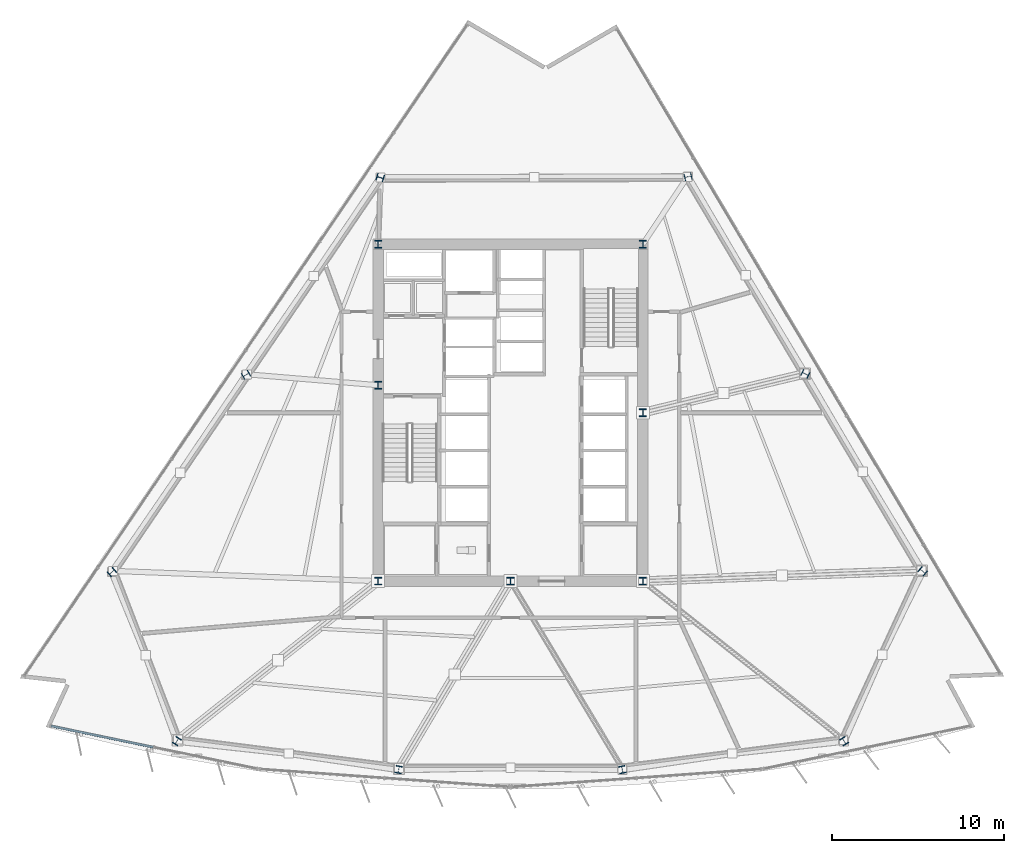
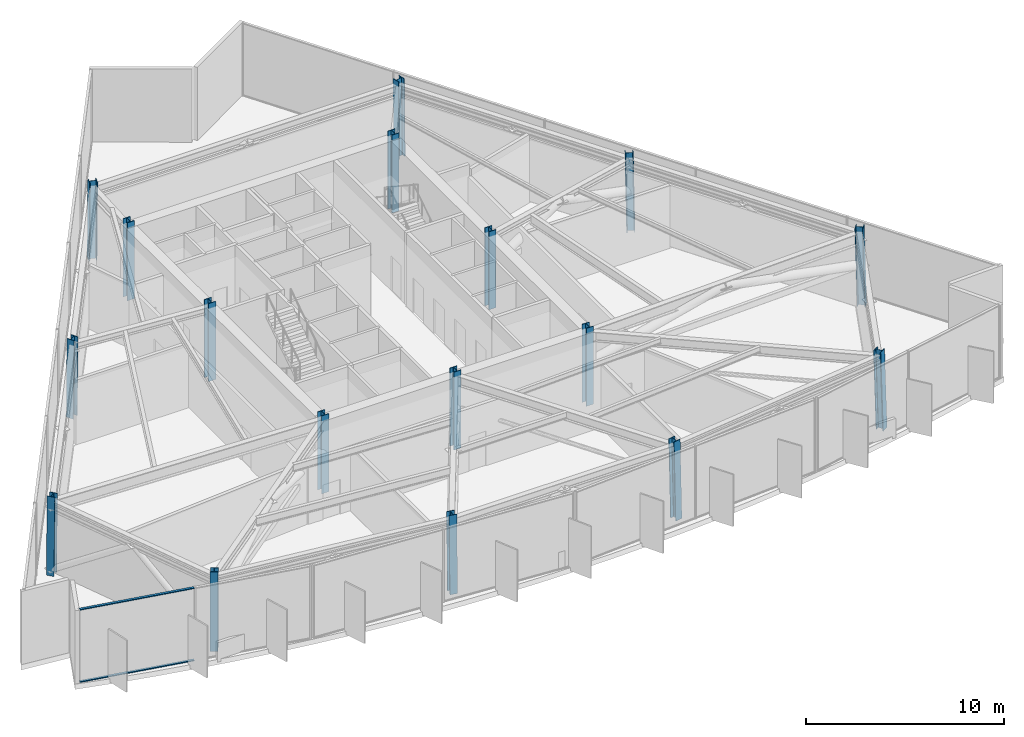
# One storey, part 1 of 16: 17 columns, 2 members, 1 element without a shape of its own.
"""IFC4 building model written with IfcOpenShell, lengths in metres."""

from ifc_helpers import new_model, si_unit, direction, frame, origin, origin_2d, place, context, subcontext, project, spatial, rectangle, i_section, extrude, material, material_profile, profile_set, type_object, element, aggregate, save


model = new_model("IFC4")

# Units and contexts
model_context = context("Model", 3, precision=1e-05, world=origin(), true_north=direction((0.0, 1.0)))
body_context = subcontext(model_context, "Body", "Model", "MODEL_VIEW")
ifc_project = project(units=[si_unit("LENGTHUNIT", "METRE"), si_unit("AREAUNIT", "SQUARE_METRE"), si_unit("VOLUMEUNIT", "CUBIC_METRE"), si_unit("PLANEANGLEUNIT", "RADIAN"), si_unit("MASSUNIT", "GRAM", prefix="KILO")], contexts=[model_context])

# Site, building, storey
site_placement = place(None, origin())
site = spatial("IfcSite", under=ifc_project, at=site_placement, CompositionType="ELEMENT")
building_placement = place(site_placement, origin())
building = spatial("IfcBuilding", under=site, at=building_placement, Name="Savorim Split Tower", CompositionType="ELEMENT")
storey_placement = place(building_placement, frame((0.0, 0.0, 73.199951171875)))
storey = spatial("IfcBuildingStorey", under=building, at=storey_placement, Name="L19", CompositionType="ELEMENT", Elevation=73.199951171875)

# Columns
ifc_material_1 = material(Name="Steel S460", Category="steel")
ifc_material_profile_1 = material_profile(ifc_material_1, i_section(OverallWidth=0.408935546875, OverallDepth=0.425048828125, WebThickness=0.020751953125, FlangeThickness=0.033935546875, FilletRadius=0.014892578125, at=origin_2d()), Name="HD 400x421")
ifc_profile_set_1 = profile_set([ifc_material_profile_1], Name="Steel S460")
column_type_1 = type_object("IfcColumnType", Name="COL-HD-421", PredefinedType="COLUMN", material=ifc_profile_set_1)
column_1_placement = place(storey_placement, frame((-19.419677734375, -18.72412109375, 0.005615234375), z_axis=(0.01589889458, 0.025784745697, 0.999541080717), x_axis=(-0.851195920716, 0.524848077596, 0.0)))
element("IfcColumn", 1, at=column_1_placement, inside=storey, type_object=column_type_1, Name="L19 Tapered Perimeter Column PC-S1", PredefinedType="COLUMN", context=body_context, shape_type="SweptSolid", body=[
    extrude(i_section(OverallWidth=0.408935546875, OverallDepth=0.425048828125, WebThickness=0.020751953125, FlangeThickness=0.033935546875, FilletRadius=0.014892578125, at=origin_2d()), origin(), (0.0, 0.0, 1.0), 4.791015625),
])
for number, where, z_axis, x_axis, name in (
    (2, (-6.508544921875, -20.3818359375, 0.005615234375), (0.005350994341, 0.027162666512, 0.999616704746), (-0.981142984211, 0.193283327096, 0.0), "L19 Tapered Perimeter Column PC-S2"),
    (3, (6.508544921875, -20.3818359375, 0.005615234375), (-0.005350994341, 0.027162666512, 0.999616704746), (-0.981142984211, -0.193283327096, 0.0), "L19 Tapered Perimeter Column PC-S3"),
):
    element("IfcColumn", number, at=place(storey_placement, frame(where, z_axis=z_axis, x_axis=x_axis)), inside=storey, type_object=column_type_1, Name=name, PredefinedType="COLUMN", context=body_context, shape_type="SweptSolid", body=[
        extrude(i_section(OverallWidth=0.408935546875, OverallDepth=0.425048828125, WebThickness=0.020751953125, FlangeThickness=0.033935546875, FilletRadius=0.014892578125, at=origin_2d()), origin(), (0.0, 0.0, 1.0), 4.790771484375),
    ])
column_2_placement = place(storey_placement, frame((19.419677734375, -18.72412109375, 0.005615234375), z_axis=(-0.01589889458, 0.025784745697, 0.999541080717), x_axis=(-0.851195920716, -0.524848077596, 0.0)))
element("IfcColumn", 4, at=column_2_placement, inside=storey, type_object=column_type_1, Name="L19 Tapered Perimeter Column PC-S4", PredefinedType="COLUMN", context=body_context, shape_type="SweptSolid", body=[
    extrude(i_section(OverallWidth=0.408935546875, OverallDepth=0.425048828125, WebThickness=0.020751953125, FlangeThickness=0.033935546875, FilletRadius=0.014892578125, at=origin_2d()), origin(), (0.0, 0.0, 1.0), 4.791015625),
])
column_3_placement = place(storey_placement, frame((23.99267578125, -8.83447265625, 0.005615234375), z_axis=(-0.020130771802, 0.016665221213, 0.999658452887), x_axis=(-0.637687438134, -0.770295223434, 0.0)))
element("IfcColumn", 5, at=column_3_placement, inside=storey, type_object=column_type_1, Name="L19 Tapered Perimeter Column PC-E1", PredefinedType="COLUMN", context=body_context, shape_type="SweptSolid", body=[
    extrude(i_section(OverallWidth=0.408935546875, OverallDepth=0.425048828125, WebThickness=0.020751953125, FlangeThickness=0.033935546875, FilletRadius=0.014892578125, at=origin_2d()), origin(), (0.0, 0.0, 1.0), 4.79052734375),
])
column_4_placement = place(storey_placement, frame((17.164794921875, 2.648681640625, 0.005615234375), z_axis=(-0.014629699339, 0.007340336951, 0.999866036702), x_axis=(-0.448458880867, -0.893803463951, 0.0)))
element("IfcColumn", 6, at=column_4_placement, inside=storey, type_object=column_type_1, Name="L19 Tapered Perimeter Column PC-E2", PredefinedType="COLUMN", context=body_context, shape_type="SweptSolid", body=[
    extrude(i_section(OverallWidth=0.408935546875, OverallDepth=0.425048828125, WebThickness=0.020751953125, FlangeThickness=0.033935546875, FilletRadius=0.014892578125, at=origin_2d()), origin(), (0.0, 0.0, 1.0), 4.78955078125),
])
column_5_placement = place(storey_placement, frame((10.336669921875, 14.131591796875, 0.005615234375), z_axis=(-0.009074296177, -0.001988188488, 0.999956851197), x_axis=(0.214024191307, -0.976828360325, 0.0)))
element("IfcColumn", 7, at=column_5_placement, inside=storey, type_object=column_type_1, Name="L19 Tapered Perimeter Column PC-E3", PredefinedType="COLUMN", context=body_context, shape_type="SweptSolid", body=[
    extrude(i_section(OverallWidth=0.408935546875, OverallDepth=0.425048828125, WebThickness=0.020751953125, FlangeThickness=0.033935546875, FilletRadius=0.014892578125, at=origin_2d()), origin(), (0.0, 0.0, 1.0), 4.7890625),
])
column_6_placement = place(storey_placement, frame((-7.580810546875, 14.082763671875, 0.005615234375), z_axis=(0.006780355843, -0.001988224646, 0.999975036557), x_axis=(0.281384988428, 0.959594960537, 0.0)))
element("IfcColumn", 8, at=column_6_placement, inside=storey, type_object=column_type_1, Name="L19 Tapered Perimeter Column PC-W1", PredefinedType="COLUMN", context=body_context, shape_type="SweptSolid", body=[
    extrude(i_section(OverallWidth=0.408935546875, OverallDepth=0.425048828125, WebThickness=0.020751953125, FlangeThickness=0.033935546875, FilletRadius=0.014892578125, at=origin_2d()), origin(), (0.0, 0.0, 1.0), 4.788818359375),
])
column_7_placement = place(storey_placement, frame((-15.392333984375, 2.599853515625, 0.005615234375), z_axis=(0.013100740252, 0.007340492593, 0.999887237529), x_axis=(-0.488810085697, 0.87239022239, 0.0)))
element("IfcColumn", 9, at=column_7_placement, inside=storey, type_object=column_type_1, Name="L19 Tapered Perimeter Column PC-W2", PredefinedType="COLUMN", context=body_context, shape_type="SweptSolid", body=[
    extrude(i_section(OverallWidth=0.408935546875, OverallDepth=0.425048828125, WebThickness=0.020751953125, FlangeThickness=0.033935546875, FilletRadius=0.014892578125, at=origin_2d()), origin(), (0.0, 0.0, 1.0), 4.789306640625),
])
column_8_placement = place(storey_placement, frame((-23.2041015625, -8.88330078125, 0.005615234375), z_axis=(0.019468495457, 0.016665439828, 0.999671566466), x_axis=(-0.65029991508, 0.759677576638, 0.0)))
element("IfcColumn", 10, at=column_8_placement, inside=storey, type_object=column_type_1, Name="L19 Tapered Perimeter Column PC-W3", PredefinedType="COLUMN", context=body_context, shape_type="SweptSolid", body=[
    extrude(i_section(OverallWidth=0.408935546875, OverallDepth=0.425048828125, WebThickness=0.020751953125, FlangeThickness=0.033935546875, FilletRadius=0.014892578125, at=origin_2d()), origin(), (0.0, 0.0, 1.0), 4.790283203125),
])
ifc_material_profile_2 = material_profile(ifc_material_1, i_section(OverallWidth=0.416015625, OverallDepth=0.446044921875, WebThickness=0.02490234375, FlangeThickness=0.0400390625, FilletRadius=0.014892578125, at=origin_2d()), Name="HD 400x509")
ifc_profile_set_2 = profile_set([ifc_material_profile_2], Name="Steel S460")
column_type_2 = type_object("IfcColumnType", Name="COL-HD-509", PredefinedType="COLUMN", material=ifc_profile_set_2)
for number, where, z_axis, x_axis, name in (
    (11, (-7.699951171875, -9.39990234375, 0.0), (0.0, 0.0, 1.0), (1.0, 0.0, 0.0), "L19 Core Structural Column TC-C1"),
    (12, (7.699951171875, -9.39990234375, 0.0), (0.0, 0.0, 1.0), (1.0, 0.0, 0.0), "L19 Core Structural Column TC-C2"),
    (13, (7.699951171875, 10.199951171875, 0.0), (0.0, 0.0, 1.0), (1.0, 0.0, 0.0), "L19 Core Structural Column TC-C3"),
    (14, (-7.699951171875, 10.199951171875, 0.0), (0.0, 0.0, 1.0), (1.0, 0.0, 0.0), "L19 Core Structural Column TC-C4"),
    (15, (0.0, -9.39990234375, 0.0), (0.0, 0.0, 1.0), (1.0, 0.0, 0.0), "L19 Core Structural Column TC-C5"),
    (16, (7.699951171875, 0.39990234375, 0.0), (0.0, 0.0, 1.0), (1.0, 0.0, 0.0), "L19 Core Structural Column TC-C6"),
    (17, (-7.699951171875, 2.0, 0.0), (0.0, 0.0, 1.0), (1.0, 0.0, 0.0), "L19 Core Structural Column TC-C7"),
):
    element("IfcColumn", number, at=place(storey_placement, frame(where, z_axis=z_axis, x_axis=x_axis)), inside=storey, type_object=column_type_2, Name=name, PredefinedType="COLUMN", context=body_context, shape_type="SweptSolid", body=[
        extrude(i_section(OverallWidth=0.416015625, OverallDepth=0.446044921875, WebThickness=0.02490234375, FlangeThickness=0.0400390625, FilletRadius=0.014892578125, at=origin_2d()), origin(), (0.0, 0.0, 1.0), 4.800048828125),
    ])

# Curtain wall, members
ifc_material_2 = material(Name="Dark Ceramic-Fritted Insulated Glass", Category="glass")
curtain_wall_type = type_object("IfcCurtainWallType", Name="CW-REFUGE-LVR", PredefinedType="NOTDEFINED", material=ifc_material_2)
curtain_wall_placement = place(storey_placement, origin())
curtain_wall = element("IfcCurtainWall", 18, at=curtain_wall_placement, inside=storey, type_object=curtain_wall_type, Name="L19 Curtain Wall CW-L19-SF1", PredefinedType="NOTDEFINED")
ifc_material_3 = material(Name="Charcoal Anodised Aluminium", Category="aluminium")
ifc_material_profile_3 = material_profile(ifc_material_3, rectangle(XDim=0.139892578125, YDim=0.054931640625, at=origin_2d()), Name="ALU-T 140x55")
ifc_profile_set_3 = profile_set([ifc_material_profile_3], Name="Charcoal Anodised Aluminium")
member_type = type_object("IfcMemberType", Name="CWT-140x55", PredefinedType="USERDEFINED", material=ifc_profile_set_3)
member_1_placement = place(storey_placement, frame((-26.7333984375, -17.82373046875, 0.027587890625), z_axis=(0.97913534694, -0.203209183781, 0.0), x_axis=(0.203209183781, 0.97913534694, 0.0)))
member_1 = element("IfcMember", 19, at=member_1_placement, type_object=member_type, Name="CW-06 transom 1.1", ObjectType="TRANSOM", PredefinedType="USERDEFINED", context=body_context, shape_type="SweptSolid", body=[
    extrude(rectangle(XDim=0.139892578125, YDim=0.054931640625, at=origin_2d()), origin(), (0.0, 0.0, 1.0), 6.072021484375),
])
member_2_placement = place(storey_placement, frame((-26.7333984375, -17.82373046875, 4.47265625), z_axis=(0.97913534694, -0.203209183781, 0.0), x_axis=(0.203209183781, 0.97913534694, 0.0)))
member_2 = element("IfcMember", 20, at=member_2_placement, type_object=member_type, Name="CW-06 transom 1.2", ObjectType="TRANSOM", PredefinedType="USERDEFINED", context=body_context, shape_type="SweptSolid", body=[
    extrude(rectangle(XDim=0.139892578125, YDim=0.054931640625, at=origin_2d()), origin(), (0.0, 0.0, 1.0), 6.072021484375),
])
aggregate(curtain_wall, [member_1, member_2])

save(model, "model.ifc")
